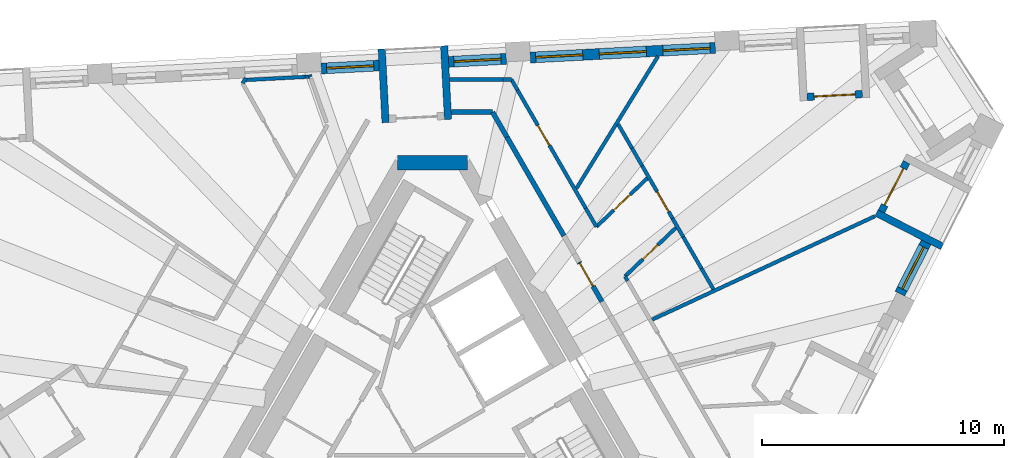
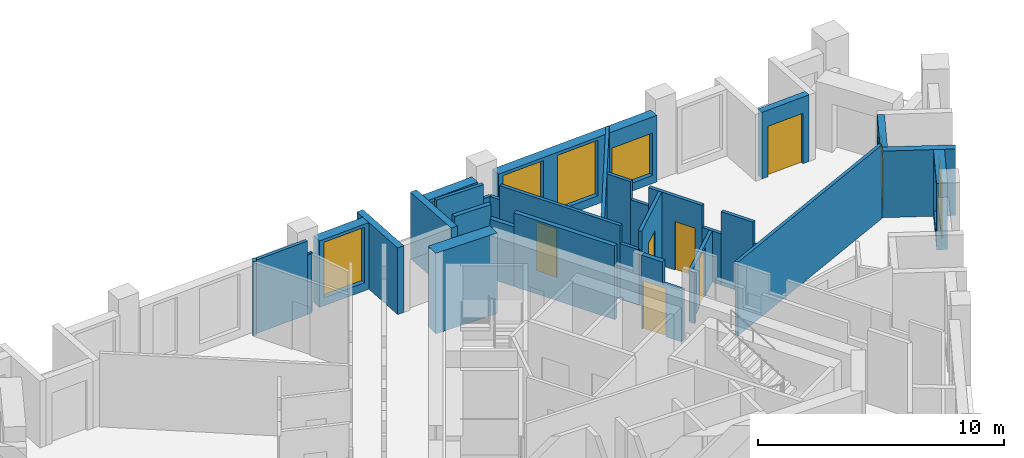
# One storey, part 8 of 13: 34 walls, 7 doors, 6 windows, 13 openings.
"""IFC4 building model written with IfcOpenShell, lengths in metres."""

from ifc_helpers import new_model, si_unit, direction, frame, frame_2d, origin, place, context, subcontext, project, spatial, polyline, rectangle, outline, extrude, material, layer, layer_set, type_object, element, fill, save


model = new_model("IFC4")

# Units and contexts
model_context = context("Model", 3, precision=1e-05, world=origin(), true_north=direction((0.0, 1.0)))
body_context = subcontext(model_context, "Body", "Model", "MODEL_VIEW")
ifc_project = project(units=[si_unit("LENGTHUNIT", "METRE"), si_unit("AREAUNIT", "SQUARE_METRE"), si_unit("VOLUMEUNIT", "CUBIC_METRE"), si_unit("PLANEANGLEUNIT", "RADIAN"), si_unit("MASSUNIT", "GRAM", prefix="KILO")], contexts=[model_context])

# Site, building, storey
site_placement = place(None, origin())
site = spatial("IfcSite", under=ifc_project, at=site_placement, CompositionType="ELEMENT")
building_placement = place(site_placement, origin())
building = spatial("IfcBuilding", under=site, at=building_placement, Name="Tramontana Tower", CompositionType="ELEMENT")
storey_placement = place(building_placement, frame((0.0, 0.0, 286.39990234375)))
storey = spatial("IfcBuildingStorey", under=building, at=storey_placement, Name="L67", CompositionType="ELEMENT", Elevation=286.39990234375)

# Walls
ifc_material_1 = material(Name="Concrete 70 MPa", Category="concrete")
ifc_layer_1 = layer(ifc_material_1, 0.60009765625)
ifc_layer_set_1 = layer_set([ifc_layer_1], Name="Core wall 600 70 MPa")
wall_type_1 = type_object("IfcWallType", Name="Core wall 600 70 MPa", PredefinedType="SHEAR", material=ifc_layer_set_1)
wall_1_placement = place(storey_placement, frame((1.443359375, 10.699951171875, 0.0), z_axis=(0.0, 0.0, 1.0), x_axis=(-1.0, 0.0, 0.0)))
element("IfcWall", 1, at=wall_1_placement, inside=storey, type_object=wall_type_1, Name="Core wall C0 L67", PredefinedType="SHEAR", context=body_context, shape_type="SweptSolid", body=[
    extrude(rectangle(XDim=2.88671875, YDim=0.60009765625, at=frame_2d((1.443359375, 0.0))), origin(), (0.0, 0.0, 1.0), 4.0),
])
ifc_material_2 = material(Name="Blockwork", Category="masonry")
ifc_layer_2 = layer(ifc_material_2, 0.199951171875)
ifc_layer_set_2 = layer_set([ifc_layer_2], Name="ENTRY WALL 200")
wall_type_2 = type_object("IfcWallType", Name="ENTRY WALL 200", PredefinedType="SOLIDWALL", material=ifc_layer_set_2)
wall_2_placement = place(storey_placement, frame((0.774658203125, 12.800048828125, 0.0), z_axis=(0.0, 0.0, 1.0), x_axis=(1.0, 0.0, 0.0)))
element("IfcWall", 2, at=wall_2_placement, inside=storey, type_object=wall_type_2, Name="Wall v71-ew4", PredefinedType="SOLIDWALL", context=body_context, shape_type="SweptSolid", body=[
    extrude(rectangle(XDim=1.7080078125, YDim=0.199951171875, at=frame_2d((0.85400390625, 0.0))), origin(), (0.0, 0.0, 1.0), 3.650146484375),
])
wall_3_placement = place(storey_placement, frame((2.482666015625, 12.800048828125, 0.0), z_axis=(0.0, 0.0, 1.0), x_axis=(0.499983247966, -0.86603507536, 0.0)))
element("IfcWall", 3, at=wall_3_placement, inside=storey, type_object=wall_type_2, Name="Wall v71-ew5-0", PredefinedType="SOLIDWALL", context=body_context, shape_type="SweptSolid", body=[
    extrude(rectangle(XDim=1.1884765625, YDim=0.199951171875, at=frame_2d((0.59423828125, 0.0))), origin(), (0.0, 0.0, 1.0), 2.9501953125),
])
wall_4_placement = place(storey_placement, frame((3.076904296875, 11.770751953125, 0.0), z_axis=(0.0, 0.0, 1.0), x_axis=(0.500007683529, -0.866020967652, 0.0)))
element("IfcWall", 4, at=wall_4_placement, inside=storey, type_object=wall_type_2, Name="Wall v71-ew5-1", PredefinedType="SOLIDWALL", context=body_context, shape_type="SweptSolid", body=[
    extrude(rectangle(XDim=4.71728515625, YDim=0.199951171875, at=frame_2d((2.358642578125, 0.0))), origin(), (0.0, 0.0, 1.0), 3.650146484375),
])

# Wall, opening, door
wall_5_placement = place(storey_placement, frame((6.0654296875, 6.59423828125, 0.0), z_axis=(0.0, 0.0, 1.0), x_axis=(0.499988092049, -0.866032278734, 0.0)))
wall_5 = element("IfcWall", 5, at=wall_5_placement, inside=storey, type_object=wall_type_2, Name="Wall v71-ew5-4", PredefinedType="SOLIDWALL", context=body_context, shape_type="SweptSolid", body=[
    extrude(outline(polyline([(0.0, 0.0), (1.8828125, 0.0), (1.8828125, 2.550048828125), (0.973388671875, 2.550048828125), (0.973388671875, 3.650146484375), (0.0, 3.650146484375), (0.0, 0.0)])), frame((0.0, 0.10009765625, 0.0), z_axis=(0.0, -1.0, 0.0), x_axis=(1.0, 0.0, 0.0)), (0.0, 0.0, 1.0), 0.199951171875),
])
opening_1_placement = place(wall_5_placement, frame((0.050048828125, 0.0, 0.0)))
opening_1 = element("IfcOpeningElement", 6, at=opening_1_placement, cuts=wall_5, Name="Opening B7B-22", PredefinedType="OPENING", context=body_context, shape_type="SweptSolid", body=[
    extrude(rectangle(XDim=1.10009765625, YDim=2.39990234375, at=frame_2d((0.550048828125, 1.199951171875))), frame((0.0, 0.10986328125, 0.0), z_axis=(0.0, -1.0, 0.0), x_axis=(1.0, 0.0, 0.0)), (0.0, 0.0, 1.0), 0.219970703125),
])
ifc_material_3 = material(Name="Painted timber", Category="wood")
door_type_1 = type_object("IfcDoorType", Name="DOOR ENTRY 1100", OperationType="SINGLE_SWING_LEFT", PredefinedType="DOOR", material=ifc_material_3)
door_1_placement = place(opening_1_placement, origin())
door_1 = element("IfcDoor", 7, at=door_1_placement, inside=storey, type_object=door_type_1, Name="Door B7B-22", OperationType="SINGLE_SWING_RIGHT", OverallHeight=2.39990234375, OverallWidth=1.10009765625, PredefinedType="DOOR", context=body_context, shape_type="SweptSolid", body=[
    extrude(rectangle(XDim=1.10009765625, YDim=2.39990234375, at=frame_2d((0.550048828125, 1.199951171875))), frame((0.0, 0.02490234375, 0.0), z_axis=(0.0, -1.0, 0.0), x_axis=(1.0, 0.0, 0.0)), (0.0, 0.0, 1.0), 0.050048828125),
])
fill(opening_1, door_1)

# Wall, opening, window
ifc_material_4 = material(Name="Precast concrete 60 MPa", Category="concrete")
ifc_layer_3 = layer(ifc_material_4, 0.449951171875)
ifc_layer_set_3 = layer_set([ifc_layer_3], Name="Precast concrete 60 MPa, 450 mm")
wall_type_3 = type_object("IfcWallType", Name="EW1 Stone-faced precast wall 450", PredefinedType="SOLIDWALL", material=ifc_layer_set_3)
wall_6_placement = place(storey_placement, frame((19.333740234375, 5.28955078125, 0.0), z_axis=(0.0, 0.0, 1.0), x_axis=(0.453951830128, 0.891026226283, 0.0)))
wall_6 = element("IfcWall", 8, at=wall_6_placement, inside=storey, type_object=wall_type_3, Name="External wall L67 face 1 bay 5", PredefinedType="SOLIDWALL", context=body_context, shape_type="SweptSolid", body=[
    extrude(rectangle(XDim=2.38671875, YDim=0.449951171875, at=frame_2d((1.193359375, 0.0))), origin(), (0.0, 0.0, 1.0), 3.300048828125),
])
opening_2_placement = place(wall_6_placement, frame((0.21826171875, 0.0, 0.39990234375)))
opening_2 = element("IfcOpeningElement", 9, at=opening_2_placement, cuts=wall_6, Name="Opening M3", PredefinedType="OPENING", context=body_context, shape_type="SweptSolid", body=[
    extrude(rectangle(XDim=1.949951171875, YDim=2.75, at=frame_2d((0.97509765625, 1.375))), frame((0.0, 0.23486328125, 0.0), z_axis=(0.0, -1.0, 0.0), x_axis=(1.0, 0.0, 0.0)), (0.0, 0.0, 1.0), 0.469970703125),
])
ifc_material_5 = material(Name="Aluminum frame, double glazing unit", Category="aluminium")
window_type_1 = type_object("IfcWindowType", Name="M3 Window 1.95 x 2.75", PartitioningType="SINGLE_PANEL", PredefinedType="WINDOW", material=ifc_material_5)
window_1_placement = place(opening_2_placement, origin())
window_1 = element("IfcWindow", 10, at=window_1_placement, inside=storey, type_object=window_type_1, Name="Window M3 L67 face 1 module 13", OverallHeight=2.75, OverallWidth=1.949951171875, PartitioningType="SINGLE_PANEL", PredefinedType="WINDOW", context=body_context, shape_type="SweptSolid", body=[
    extrude(rectangle(XDim=1.949951171875, YDim=2.75, at=frame_2d((0.97509765625, 1.375))), frame((0.0, 0.030029296875, 0.0), z_axis=(0.0, -1.0, 0.0), x_axis=(1.0, 0.0, 0.0)), (0.0, 0.0, 1.0), 0.06005859375),
])
fill(opening_2, window_1)

# Wall, openings, windows
wall_7_placement = place(storey_placement, frame((11.697265625, 15.45849609375, 0.0), z_axis=(0.0, 0.0, 1.0), x_axis=(-0.998628023429, -0.052364786088, 0.0)))
wall_7 = element("IfcWall", 11, at=wall_7_placement, inside=storey, type_object=wall_type_3, Name="External wall L67 face 2 bay 2", PredefinedType="SOLIDWALL", context=body_context, shape_type="SweptSolid", body=[
    extrude(rectangle(XDim=7.66015625, YDim=0.449951171875, at=frame_2d((3.830078125, 0.0))), origin(), (0.0, 0.0, 1.0), 3.300048828125),
])
opening_3_placement = place(wall_7_placement, frame((0.21826171875, 0.0, 0.39990234375)))
opening_3 = element("IfcOpeningElement", 12, at=opening_3_placement, cuts=wall_7, Name="Opening M3L", PredefinedType="OPENING", context=body_context, shape_type="SweptSolid", body=[
    extrude(rectangle(XDim=1.949951171875, YDim=2.10009765625, at=frame_2d((0.97509765625, 1.050048828125))), frame((0.0, 0.23486328125, 0.0), z_axis=(0.0, -1.0, 0.0), x_axis=(1.0, 0.0, 0.0)), (0.0, 0.0, 1.0), 0.469970703125),
])
opening_4_placement = place(wall_7_placement, frame((2.855224609375, 0.0, 0.39990234375)))
opening_4 = element("IfcOpeningElement", 13, at=opening_4_placement, cuts=wall_7, Name="Opening M3", PredefinedType="OPENING", context=body_context, shape_type="SweptSolid", body=[
    extrude(rectangle(XDim=1.949951171875, YDim=2.75, at=frame_2d((0.97509765625, 1.375))), frame((0.0, 0.23486328125, 0.0), z_axis=(0.0, -1.0, 0.0), x_axis=(1.0, 0.0, 0.0)), (0.0, 0.0, 1.0), 0.469970703125),
])
opening_5_placement = place(wall_7_placement, frame((5.491943359375, 0.0, 0.39990234375)))
opening_5 = element("IfcOpeningElement", 14, at=opening_5_placement, cuts=wall_7, Name="Opening M3", PredefinedType="OPENING", context=body_context, shape_type="SweptSolid", body=[
    extrude(rectangle(XDim=1.949951171875, YDim=2.75, at=frame_2d((0.97509765625, 1.375))), frame((0.0, 0.23486328125, 0.0), z_axis=(0.0, -1.0, 0.0), x_axis=(1.0, 0.0, 0.0)), (0.0, 0.0, 1.0), 0.469970703125),
])
window_2_placement = place(opening_4_placement, origin())
window_2 = element("IfcWindow", 15, at=window_2_placement, inside=storey, type_object=window_type_1, Name="Window M3 L67 face 2 module 5", OverallHeight=2.75, OverallWidth=1.949951171875, PartitioningType="SINGLE_PANEL", PredefinedType="WINDOW", context=body_context, shape_type="SweptSolid", body=[
    extrude(rectangle(XDim=1.949951171875, YDim=2.75, at=frame_2d((0.97509765625, 1.375))), frame((0.0, 0.030029296875, 0.0), z_axis=(0.0, -1.0, 0.0), x_axis=(1.0, 0.0, 0.0)), (0.0, 0.0, 1.0), 0.06005859375),
])
fill(opening_4, window_2)
window_3_placement = place(opening_5_placement, origin())
window_3 = element("IfcWindow", 16, at=window_3_placement, inside=storey, type_object=window_type_1, Name="Window M3 L67 face 2 module 6", OverallHeight=2.75, OverallWidth=1.949951171875, PartitioningType="SINGLE_PANEL", PredefinedType="WINDOW", context=body_context, shape_type="SweptSolid", body=[
    extrude(rectangle(XDim=1.949951171875, YDim=2.75, at=frame_2d((0.97509765625, 1.375))), frame((0.0, 0.030029296875, 0.0), z_axis=(0.0, -1.0, 0.0), x_axis=(1.0, 0.0, 0.0)), (0.0, 0.0, 1.0), 0.06005859375),
])
fill(opening_5, window_3)
ifc_material_6 = material(Name="Aluminum frame, double glazing unit", Category="aluminium")
window_type_2 = type_object("IfcWindowType", Name="M3L Window 1.95 x 2.1", PartitioningType="SINGLE_PANEL", PredefinedType="WINDOW", material=ifc_material_6)
window_4_placement = place(opening_3_placement, origin())
window_4 = element("IfcWindow", 17, at=window_4_placement, inside=storey, type_object=window_type_2, Name="Window M3L L67 face 2 module 4", OverallHeight=2.10009765625, OverallWidth=1.949951171875, PartitioningType="SINGLE_PANEL", PredefinedType="WINDOW", context=body_context, shape_type="SweptSolid", body=[
    extrude(rectangle(XDim=1.949951171875, YDim=2.10009765625, at=frame_2d((0.97509765625, 1.050048828125))), frame((0.0, 0.030029296875, 0.0), z_axis=(0.0, -1.0, 0.0), x_axis=(1.0, 0.0, 0.0)), (0.0, 0.0, 1.0), 0.06005859375),
])
fill(opening_3, window_4)

# Wall, opening, window
wall_8_placement = place(storey_placement, frame((3.049072265625, 15.005126953125, 0.0), z_axis=(0.0, 0.0, 1.0), x_axis=(-0.998627701279, -0.052370929331, 0.0)))
wall_8 = element("IfcWall", 18, at=wall_8_placement, inside=storey, type_object=wall_type_3, Name="External wall L67 face 2 bay 3", PredefinedType="SOLIDWALL", context=body_context, shape_type="SweptSolid", body=[
    extrude(rectangle(XDim=2.38671875, YDim=0.449951171875, at=frame_2d((1.193359375, 0.0))), origin(), (0.0, 0.0, 1.0), 3.300048828125),
])
opening_6_placement = place(wall_8_placement, frame((0.21826171875, 0.0, 0.39990234375)))
opening_6 = element("IfcOpeningElement", 19, at=opening_6_placement, cuts=wall_8, Name="Opening M3", PredefinedType="OPENING", context=body_context, shape_type="SweptSolid", body=[
    extrude(rectangle(XDim=1.949951171875, YDim=2.75, at=frame_2d((0.97509765625, 1.375))), frame((0.0, 0.23486328125, 0.0), z_axis=(0.0, -1.0, 0.0), x_axis=(1.0, 0.0, 0.0)), (0.0, 0.0, 1.0), 0.469970703125),
])
window_5_placement = place(opening_6_placement, origin())
window_5 = element("IfcWindow", 20, at=window_5_placement, inside=storey, type_object=window_type_1, Name="Window M3 L67 face 2 module 7", OverallHeight=2.75, OverallWidth=1.949951171875, PartitioningType="SINGLE_PANEL", PredefinedType="WINDOW", context=body_context, shape_type="SweptSolid", body=[
    extrude(rectangle(XDim=1.949951171875, YDim=2.75, at=frame_2d((0.97509765625, 1.375))), frame((0.0, 0.030029296875, 0.0), z_axis=(0.0, -1.0, 0.0), x_axis=(1.0, 0.0, 0.0)), (0.0, 0.0, 1.0), 0.06005859375),
])
fill(opening_6, window_5)

wall_9_placement = place(storey_placement, frame((-2.21728515625, 14.729248046875, 0.0), z_axis=(0.0, 0.0, 1.0), x_axis=(-0.998627701279, -0.052370929331, 0.0)))
wall_9 = element("IfcWall", 21, at=wall_9_placement, inside=storey, type_object=wall_type_3, Name="External wall L67 face 2 bay 3", PredefinedType="SOLIDWALL", context=body_context, shape_type="SweptSolid", body=[
    extrude(rectangle(XDim=2.38671875, YDim=0.449951171875, at=frame_2d((1.193359375, 0.0))), origin(), (0.0, 0.0, 1.0), 3.300048828125),
])
opening_7_placement = place(wall_9_placement, frame((0.21826171875, 0.0, 0.39990234375)))
opening_7 = element("IfcOpeningElement", 22, at=opening_7_placement, cuts=wall_9, Name="Opening M3", PredefinedType="OPENING", context=body_context, shape_type="SweptSolid", body=[
    extrude(rectangle(XDim=1.949951171875, YDim=2.75, at=frame_2d((0.97509765625, 1.375))), frame((0.0, 0.23486328125, 0.0), z_axis=(0.0, -1.0, 0.0), x_axis=(1.0, 0.0, 0.0)), (0.0, 0.0, 1.0), 0.469970703125),
])
window_6_placement = place(opening_7_placement, origin())
window_6 = element("IfcWindow", 23, at=window_6_placement, inside=storey, type_object=window_type_1, Name="Window M3 L67 face 2 module 9", OverallHeight=2.75, OverallWidth=1.949951171875, PartitioningType="SINGLE_PANEL", PredefinedType="WINDOW", context=body_context, shape_type="SweptSolid", body=[
    extrude(rectangle(XDim=1.949951171875, YDim=2.75, at=frame_2d((0.97509765625, 1.375))), frame((0.0, 0.030029296875, 0.0), z_axis=(0.0, -1.0, 0.0), x_axis=(1.0, 0.0, 0.0)), (0.0, 0.0, 1.0), 0.06005859375),
])
fill(opening_7, window_6)

# Wall, opening, door
ifc_material_7 = material(Name="Precast concrete 60 MPa", Category="concrete")
ifc_layer_4 = layer(ifc_material_7, 0.300048828125)
ifc_layer_set_4 = layer_set([ifc_layer_4], Name="LW1 Stone-faced loggia wall 300")
wall_type_4 = type_object("IfcWallType", Name="LW1 Stone-faced loggia wall 300", PredefinedType="SOLIDWALL", material=ifc_layer_set_4)
wall_10_placement = place(storey_placement, frame((18.571044921875, 8.693603515625, 0.0), z_axis=(0.0, 0.0, 1.0), x_axis=(0.453948171533, 0.89102809022, 0.0)))
wall_10 = element("IfcWall", 24, at=wall_10_placement, inside=storey, type_object=wall_type_4, Name="Loggia wall L67 G7S1.13", PredefinedType="SOLIDWALL", context=body_context, shape_type="SweptSolid", body=[
    extrude(rectangle(XDim=2.286865234375, YDim=0.300048828125, at=frame_2d((1.1435546875, 0.0))), origin(), (0.0, 0.0, 1.0), 3.300048828125),
])
opening_8_placement = place(wall_10_placement, frame((0.29345703125, 0.0, 0.0)))
opening_8 = element("IfcOpeningElement", 25, at=opening_8_placement, cuts=wall_10, Name="Opening BD-7S1-13", PredefinedType="OPENING", context=body_context, shape_type="SweptSolid", body=[
    extrude(rectangle(XDim=1.699951171875, YDim=2.5, at=frame_2d((0.85009765625, 1.25))), frame((0.0, 0.159912109375, 0.0), z_axis=(0.0, -1.0, 0.0), x_axis=(1.0, 0.0, 0.0)), (0.0, 0.0, 1.0), 0.320068359375),
])
ifc_material_8 = material(Name="Aluminum frame, double glazing unit", Category="aluminium")
door_type_2 = type_object("IfcDoorType", Name="BD3 Sliding door 1.7 x 2.5", OperationType="SLIDING_TO_LEFT", PredefinedType="DOOR", material=ifc_material_8)
door_2_placement = place(opening_8_placement, origin())
door_2 = element("IfcDoor", 26, at=door_2_placement, inside=storey, type_object=door_type_2, Name="Loggia door L67 G7S1.13", OperationType="SLIDING_TO_LEFT", OverallHeight=2.5, OverallWidth=1.699951171875, PredefinedType="DOOR", context=body_context, shape_type="SweptSolid", body=[
    extrude(rectangle(XDim=1.699951171875, YDim=2.5, at=frame_2d((0.85009765625, 1.25))), frame((0.0, 0.02490234375, 0.0), z_axis=(0.0, -1.0, 0.0), x_axis=(1.0, 0.0, 0.0)), (0.0, 0.0, 1.0), 0.050048828125),
])
fill(opening_8, door_2)

# Wall
wall_11_placement = place(storey_placement, frame((21.086669921875, 7.243408203125, 0.0), z_axis=(0.0, 0.0, 1.0), x_axis=(-0.890991233495, 0.454020508165, 0.0)))
element("IfcWall", 27, at=wall_11_placement, inside=storey, type_object=wall_type_4, Name="Loggia return L67 G7S1.13a", PredefinedType="SOLIDWALL", context=body_context, shape_type="SweptSolid", body=[
    extrude(rectangle(XDim=3.050048828125, YDim=0.300048828125, at=frame_2d((1.52490234375, 0.0))), origin(), (0.0, 0.0, 1.0), 3.300048828125),
])

# Wall, opening, door
wall_12_placement = place(storey_placement, frame((17.779052734375, 13.549072265625, 0.0), z_axis=(0.0, 0.0, 1.0), x_axis=(-0.998630483018, -0.052317859155, 0.0)))
wall_12 = element("IfcWall", 28, at=wall_12_placement, inside=storey, type_object=wall_type_4, Name="Loggia wall L67 G7S2.1", PredefinedType="SOLIDWALL", context=body_context, shape_type="SweptSolid", body=[
    extrude(rectangle(XDim=2.28662109375, YDim=0.300048828125, at=frame_2d((1.143310546875, 0.0))), origin(), (0.0, 0.0, 1.0), 3.300048828125),
])
opening_9_placement = place(wall_12_placement, frame((0.29345703125, 0.0, 0.0)))
opening_9 = element("IfcOpeningElement", 29, at=opening_9_placement, cuts=wall_12, Name="Opening BD-7S2-01", PredefinedType="OPENING", context=body_context, shape_type="SweptSolid", body=[
    extrude(rectangle(XDim=1.699951171875, YDim=2.5, at=frame_2d((0.85009765625, 1.25))), frame((0.0, 0.159912109375, 0.0), z_axis=(0.0, -1.0, 0.0), x_axis=(1.0, 0.0, 0.0)), (0.0, 0.0, 1.0), 0.320068359375),
])
door_3_placement = place(opening_9_placement, origin())
door_3 = element("IfcDoor", 30, at=door_3_placement, inside=storey, type_object=door_type_2, Name="Loggia door L67 G7S2.1", OperationType="SLIDING_TO_LEFT", OverallHeight=2.5, OverallWidth=1.699951171875, PredefinedType="DOOR", context=body_context, shape_type="SweptSolid", body=[
    extrude(rectangle(XDim=1.699951171875, YDim=2.5, at=frame_2d((0.85009765625, 1.25))), frame((0.0, 0.02490234375, 0.0), z_axis=(0.0, -1.0, 0.0), x_axis=(1.0, 0.0, 0.0)), (0.0, 0.0, 1.0), 0.050048828125),
])
fill(opening_9, door_3)

# Walls
wall_13_placement = place(storey_placement, frame((0.48046875, 15.54638671875, 0.0), z_axis=(0.0, 0.0, 1.0), x_axis=(0.052352956549, -0.998628643661, 0.0)))
element("IfcWall", 31, at=wall_13_placement, inside=storey, type_object=wall_type_4, Name="Loggia return L67 G7S2.7a", PredefinedType="SOLIDWALL", context=body_context, shape_type="SweptSolid", body=[
    extrude(rectangle(XDim=3.0498046875, YDim=0.300048828125, at=frame_2d((1.52490234375, 0.0))), origin(), (0.0, 0.0, 1.0), 3.300048828125),
])
wall_14_placement = place(storey_placement, frame((-2.102783203125, 15.4111328125, 0.0), z_axis=(0.0, 0.0, 1.0), x_axis=(0.052348771756, -0.99862886304, 0.0)))
element("IfcWall", 32, at=wall_14_placement, inside=storey, type_object=wall_type_4, Name="Loggia return L67 G7S2.7b", PredefinedType="SOLIDWALL", context=body_context, shape_type="SweptSolid", body=[
    extrude(rectangle(XDim=3.050048828125, YDim=0.300048828125, at=frame_2d((1.52490234375, 0.0))), origin(), (0.0, 0.0, 1.0), 3.300048828125),
])
ifc_material_9 = material(Name="Gypsum board partition")
ifc_layer_5 = layer(ifc_material_9, 0.14990234375)
ifc_layer_set_5 = layer_set([ifc_layer_5], Name="PARTITION 150")
wall_type_5 = type_object("IfcWallType", Name="PARTITION 150", PredefinedType="PARTITIONING", material=ifc_layer_set_5)
wall_15_placement = place(storey_placement, frame((-7.8564453125, 13.9921875, 0.0), z_axis=(0.0, 0.0, 1.0), x_axis=(0.499914057068, 0.866075017274, 0.0)))
element("IfcWall", 33, at=wall_15_placement, inside=storey, type_object=wall_type_5, Name="Wall v71-pw11", PredefinedType="PARTITIONING", context=body_context, shape_type="SweptSolid", body=[
    extrude(rectangle(XDim=0.25732421875, YDim=0.14990234375, at=frame_2d((0.128662109375, 0.0))), origin(), (0.0, 0.0, 1.0), 3.650146484375),
])
wall_16_placement = place(storey_placement, frame((-7.723388671875, 14.130126953125, 0.0), z_axis=(0.0, 0.0, 1.0), x_axis=(0.998631230804, 0.052303583645, 0.0)))
element("IfcWall", 34, at=wall_16_placement, inside=storey, type_object=wall_type_5, Name="Wall v71-pw12-0", PredefinedType="PARTITIONING", context=body_context, shape_type="SweptSolid", body=[
    extrude(rectangle(XDim=2.4599609375, YDim=0.14990234375, at=frame_2d((1.22998046875, 0.0))), origin(), (0.0, 0.0, 1.0), 3.650146484375),
])
wall_17_placement = place(storey_placement, frame((-5.266845703125, 14.2587890625, 0.0), z_axis=(0.0, 0.0, 1.0), x_axis=(0.998580804678, 0.053257642916, 0.0)))
element("IfcWall", 35, at=wall_17_placement, inside=storey, type_object=wall_type_5, Name="Wall v71-pw12-1", PredefinedType="PARTITIONING", context=body_context, shape_type="SweptSolid", body=[
    extrude(rectangle(XDim=0.183349609375, YDim=0.14990234375, at=frame_2d((0.091796875, 0.0))), origin(), (0.0, 0.0, 1.0), 2.9501953125),
])
wall_18_placement = place(storey_placement, frame((-5.051025390625, 14.257080078125, 0.0), z_axis=(0.0, 0.0, 1.0), x_axis=(-0.333076318003, 0.942899870816, 0.0)))
element("IfcWall", 36, at=wall_18_placement, inside=storey, type_object=wall_type_5, Name="Wall v71-pw16-0", PredefinedType="PARTITIONING", context=body_context, shape_type="SweptSolid", body=[
    extrude(rectangle(XDim=0.099609375, YDim=0.14990234375, at=frame_2d((0.0498046875, 0.0))), origin(), (0.0, 0.0, 1.0), 2.9501953125),
])
wall_19_placement = place(storey_placement, frame((0.703857421875, 14.14990234375, 0.0), z_axis=(0.0, 0.0, 1.0), x_axis=(1.0, 0.0, 0.0)))
element("IfcWall", 37, at=wall_19_placement, inside=storey, type_object=wall_type_5, Name="Wall v71-pw20-0", PredefinedType="PARTITIONING", context=body_context, shape_type="SweptSolid", body=[
    extrude(rectangle(XDim=2.216796875, YDim=0.14990234375, at=frame_2d((1.1083984375, 0.0))), origin(), (0.0, 0.0, 1.0), 3.650146484375),
])
wall_20_placement = place(storey_placement, frame((2.920654296875, 14.14990234375, 0.0), z_axis=(0.0, 0.0, 1.0), x_axis=(1.0, 0.0, 0.0)))
element("IfcWall", 38, at=wall_20_placement, inside=storey, type_object=wall_type_5, Name="Wall v71-pw20-1", PredefinedType="PARTITIONING", context=body_context, shape_type="SweptSolid", body=[
    extrude(rectangle(XDim=0.34130859375, YDim=0.14990234375, at=frame_2d((0.170654296875, 0.0))), origin(), (0.0, 0.0, 1.0), 2.9501953125),
])
wall_21_placement = place(storey_placement, frame((3.261962890625, 14.14990234375, 0.0), z_axis=(0.0, 0.0, 1.0), x_axis=(0.500115484592, -0.865958718457, 0.0)))
element("IfcWall", 39, at=wall_21_placement, inside=storey, type_object=wall_type_5, Name="Wall v71-pw24-0", PredefinedType="PARTITIONING", context=body_context, shape_type="SweptSolid", body=[
    extrude(rectangle(XDim=0.501953125, YDim=0.14990234375, at=frame_2d((0.2509765625, 0.0))), origin(), (0.0, 0.0, 1.0), 2.9501953125),
])

# Wall, opening, door
wall_22_placement = place(storey_placement, frame((3.512939453125, 13.71533203125, 0.0), z_axis=(0.0, 0.0, 1.0), x_axis=(0.500019542665, -0.866014120528, 0.0)))
wall_22 = element("IfcWall", 40, at=wall_22_placement, inside=storey, type_object=wall_type_5, Name="Wall v71-pw24-1", PredefinedType="PARTITIONING", context=body_context, shape_type="SweptSolid", body=[
    extrude(rectangle(XDim=5.643310546875, YDim=0.14990234375, at=frame_2d((2.82177734375, 0.0))), origin(), (0.0, 0.0, 1.0), 3.650146484375),
])
opening_10_placement = place(wall_22_placement, frame((1.68896484375, 0.0, 0.0)))
opening_10 = element("IfcOpeningElement", 41, at=opening_10_placement, cuts=wall_22, Name="Opening B7B-18", PredefinedType="OPENING", context=body_context, shape_type="SweptSolid", body=[
    extrude(rectangle(XDim=0.949951171875, YDim=2.39990234375, at=frame_2d((0.47509765625, 1.199951171875))), frame((0.0, 0.0849609375, 0.0), z_axis=(0.0, -1.0, 0.0), x_axis=(1.0, 0.0, 0.0)), (0.0, 0.0, 1.0), 0.169921875),
])
ifc_material_10 = material(Name="Painted timber", Category="wood")
door_type_3 = type_object("IfcDoorType", Name="DOOR ROOM 950", OperationType="SINGLE_SWING_LEFT", PredefinedType="DOOR", material=ifc_material_10)
door_4_placement = place(opening_10_placement, origin())
door_4 = element("IfcDoor", 42, at=door_4_placement, inside=storey, type_object=door_type_3, Name="Door B7B-18", OperationType="SINGLE_SWING_RIGHT", OverallHeight=2.39990234375, OverallWidth=0.949951171875, PredefinedType="DOOR", context=body_context, shape_type="SweptSolid", body=[
    extrude(rectangle(XDim=0.949951171875, YDim=2.39990234375, at=frame_2d((0.47509765625, 1.199951171875))), frame((0.0, 0.02490234375, 0.0), z_axis=(0.0, -1.0, 0.0), x_axis=(1.0, 0.0, 0.0)), (0.0, 0.0, 1.0), 0.050048828125),
])
fill(opening_10, door_4)

# Walls
wall_23_placement = place(storey_placement, frame((6.334716796875, 8.828125, 0.0), z_axis=(0.0, 0.0, 1.0), x_axis=(0.499952443665, -0.866052858707, 0.0)))
element("IfcWall", 43, at=wall_23_placement, inside=storey, type_object=wall_type_5, Name="Wall v71-pw24-2", PredefinedType="PARTITIONING", context=body_context, shape_type="SweptSolid", body=[
    extrude(rectangle(XDim=0.88818359375, YDim=0.14990234375, at=frame_2d((0.444091796875, 0.0))), origin(), (0.0, 0.0, 1.0), 2.75),
])
wall_24_placement = place(storey_placement, frame((5.951416015625, 9.641845703125, 0.0), z_axis=(0.0, 0.0, 1.0), x_axis=(0.525218585936, 0.850967353655, 0.0)))
element("IfcWall", 44, at=wall_24_placement, inside=storey, type_object=wall_type_5, Name="Wall v71-pw29", PredefinedType="PARTITIONING", context=body_context, shape_type="SweptSolid", body=[
    extrude(rectangle(XDim=6.424560546875, YDim=0.14990234375, at=frame_2d((3.21240234375, 0.0))), origin(), (0.0, 0.0, 1.0), 3.650146484375),
])

# Wall, opening, door
wall_25_placement = place(storey_placement, frame((6.77880859375, 8.058837890625, 0.0), z_axis=(0.0, 0.0, 1.0), x_axis=(0.723456580419, 0.690369883648, 0.0)))
wall_25 = element("IfcWall", 45, at=wall_25_placement, inside=storey, type_object=wall_type_5, Name="Wall v71-pw31", PredefinedType="PARTITIONING", context=body_context, shape_type="SweptSolid", body=[
    extrude(rectangle(XDim=2.9072265625, YDim=0.14990234375, at=frame_2d((1.45361328125, 0.0))), origin(), (0.0, 0.0, 1.0), 3.650146484375),
])
opening_11_placement = place(wall_25_placement, frame((0.978515625, 0.0, 0.0)))
opening_11 = element("IfcOpeningElement", 46, at=opening_11_placement, cuts=wall_25, Name="Opening B7B-13", PredefinedType="OPENING", context=body_context, shape_type="SweptSolid", body=[
    extrude(rectangle(XDim=0.949951171875, YDim=2.39990234375, at=frame_2d((0.47509765625, 1.199951171875))), frame((0.0, 0.0849609375, 0.0), z_axis=(0.0, -1.0, 0.0), x_axis=(1.0, 0.0, 0.0)), (0.0, 0.0, 1.0), 0.169921875),
])
door_5_placement = place(opening_11_placement, origin())
door_5 = element("IfcDoor", 47, at=door_5_placement, inside=storey, type_object=door_type_3, Name="Door B7B-13", OperationType="SINGLE_SWING_LEFT", OverallHeight=2.39990234375, OverallWidth=0.949951171875, PredefinedType="DOOR", context=body_context, shape_type="SweptSolid", body=[
    extrude(rectangle(XDim=0.949951171875, YDim=2.39990234375, at=frame_2d((0.47509765625, 1.199951171875))), frame((0.0, 0.02490234375, 0.0), z_axis=(0.0, -1.0, 0.0), x_axis=(1.0, 0.0, 0.0)), (0.0, 0.0, 1.0), 0.050048828125),
])
fill(opening_11, door_5)

# Walls
wall_26_placement = place(storey_placement, frame((7.679443359375, 12.298828125, 0.0), z_axis=(0.0, 0.0, 1.0), x_axis=(0.499925626596, -0.866068339032, 0.0)))
element("IfcWall", 48, at=wall_26_placement, inside=storey, type_object=wall_type_5, Name="Wall v71-pw32-0", PredefinedType="PARTITIONING", context=body_context, shape_type="SweptSolid", body=[
    extrude(rectangle(XDim=1.144287109375, YDim=0.14990234375, at=frame_2d((0.572265625, 0.0))), origin(), (0.0, 0.0, 1.0), 3.650146484375),
])
wall_27_placement = place(storey_placement, frame((8.25146484375, 11.307861328125, 0.0), z_axis=(0.0, 0.0, 1.0), x_axis=(0.500151338474, -0.865938010843, 0.0)))
element("IfcWall", 49, at=wall_27_placement, inside=storey, type_object=wall_type_5, Name="Wall v71-pw32-1", PredefinedType="PARTITIONING", context=body_context, shape_type="SweptSolid", body=[
    extrude(rectangle(XDim=0.837646484375, YDim=0.14990234375, at=frame_2d((0.4189453125, 0.0))), origin(), (0.0, 0.0, 1.0), 2.75),
])

# Wall, opening, door
wall_28_placement = place(storey_placement, frame((8.67041015625, 10.58251953125, 0.0), z_axis=(0.0, 0.0, 1.0), x_axis=(0.499938053331, -0.866061165757, 0.0)))
wall_28 = element("IfcWall", 50, at=wall_28_placement, inside=storey, type_object=wall_type_5, Name="Wall v71-pw32-2", PredefinedType="PARTITIONING", context=body_context, shape_type="SweptSolid", body=[
    extrude(rectangle(XDim=2.515869140625, YDim=0.14990234375, at=frame_2d((1.2578125, 0.0))), origin(), (0.0, 0.0, 1.0), 3.650146484375),
])
opening_12_placement = place(wall_28_placement, frame((1.243896484375, 0.0, 0.0)))
opening_12 = element("IfcOpeningElement", 51, at=opening_12_placement, cuts=wall_28, Name="Opening B7B-15", PredefinedType="OPENING", context=body_context, shape_type="SweptSolid", body=[
    extrude(rectangle(XDim=0.949951171875, YDim=2.39990234375, at=frame_2d((0.47509765625, 1.199951171875))), frame((0.0, 0.0849609375, 0.0), z_axis=(0.0, -1.0, 0.0), x_axis=(1.0, 0.0, 0.0)), (0.0, 0.0, 1.0), 0.169921875),
])
door_6_placement = place(opening_12_placement, origin())
door_6 = element("IfcDoor", 52, at=door_6_placement, inside=storey, type_object=door_type_3, Name="Door B7B-15", OperationType="SINGLE_SWING_LEFT", OverallHeight=2.39990234375, OverallWidth=0.949951171875, PredefinedType="DOOR", context=body_context, shape_type="SweptSolid", body=[
    extrude(rectangle(XDim=0.949951171875, YDim=2.39990234375, at=frame_2d((0.47509765625, 1.199951171875))), frame((0.0, 0.02490234375, 0.0), z_axis=(0.0, -1.0, 0.0), x_axis=(1.0, 0.0, 0.0)), (0.0, 0.0, 1.0), 0.050048828125),
])
fill(opening_12, door_6)

# Walls
wall_29_placement = place(storey_placement, frame((9.92822265625, 8.403564453125, 0.0), z_axis=(0.0, 0.0, 1.0), x_axis=(0.500176418896, -0.865923524325, 0.0)))
element("IfcWall", 53, at=wall_29_placement, inside=storey, type_object=wall_type_5, Name="Wall v71-pw32-3", PredefinedType="PARTITIONING", context=body_context, shape_type="SweptSolid", body=[
    extrude(rectangle(XDim=0.884521484375, YDim=0.14990234375, at=frame_2d((0.4423828125, 0.0))), origin(), (0.0, 0.0, 1.0), 2.550048828125),
])
wall_30_placement = place(storey_placement, frame((10.37060546875, 7.6376953125, 0.0), z_axis=(0.0, 0.0, 1.0), x_axis=(0.499983823482, -0.8660347431, 0.0)))
element("IfcWall", 54, at=wall_30_placement, inside=storey, type_object=wall_type_5, Name="Wall v71-pw32-4", PredefinedType="PARTITIONING", context=body_context, shape_type="SweptSolid", body=[
    extrude(rectangle(XDim=1.50927734375, YDim=0.14990234375, at=frame_2d((0.754638671875, 0.0))), origin(), (0.0, 0.0, 1.0), 3.650146484375),
])
wall_31_placement = place(storey_placement, frame((11.125244140625, 6.33056640625, 0.0), z_axis=(0.0, 0.0, 1.0), x_axis=(0.500022136814, -0.866012622712, 0.0)))
element("IfcWall", 55, at=wall_31_placement, inside=storey, type_object=wall_type_5, Name="Wall v71-pw32-5", PredefinedType="PARTITIONING", context=body_context, shape_type="SweptSolid", body=[
    extrude(rectangle(XDim=0.9873046875, YDim=0.14990234375, at=frame_2d((0.49365234375, 0.0))), origin(), (0.0, 0.0, 1.0), 2.550048828125),
])
wall_32_placement = place(storey_placement, frame((7.962158203125, 6.009033203125, 0.0), z_axis=(0.0, 0.0, 1.0), x_axis=(0.500240224089, -0.865886665912, 0.0)))
element("IfcWall", 56, at=wall_32_placement, inside=storey, type_object=wall_type_5, Name="Wall v71-pw33-0", PredefinedType="PARTITIONING", context=body_context, shape_type="SweptSolid", body=[
    extrude(rectangle(XDim=0.2177734375, YDim=0.14990234375, at=frame_2d((0.10888671875, 0.0))), origin(), (0.0, 0.0, 1.0), 2.550048828125),
])

# Wall, opening, door
wall_33_placement = place(storey_placement, frame((10.0654296875, 8.01611328125, 0.0), z_axis=(0.0, 0.0, 1.0), x_axis=(-0.723456580419, -0.690369883648, 0.0)))
wall_33 = element("IfcWall", 57, at=wall_33_placement, inside=storey, type_object=wall_type_5, Name="Wall v71-pw35-0", PredefinedType="PARTITIONING", context=body_context, shape_type="SweptSolid", body=[
    extrude(rectangle(XDim=2.9072265625, YDim=0.14990234375, at=frame_2d((1.45361328125, 0.0))), origin(), (0.0, 0.0, 1.0), 2.550048828125),
])
opening_13_placement = place(wall_33_placement, frame((1.028564453125, 0.0, 0.0)))
opening_13 = element("IfcOpeningElement", 58, at=opening_13_placement, cuts=wall_33, Name="Opening B7B-14", PredefinedType="OPENING", context=body_context, shape_type="SweptSolid", body=[
    extrude(rectangle(XDim=0.85009765625, YDim=2.39990234375, at=frame_2d((0.425048828125, 1.199951171875))), frame((0.0, 0.0849609375, 0.0), z_axis=(0.0, -1.0, 0.0), x_axis=(1.0, 0.0, 0.0)), (0.0, 0.0, 1.0), 0.169921875),
])
ifc_material_11 = material(Name="Painted timber", Category="wood")
door_type_4 = type_object("IfcDoorType", Name="DOOR BATH 850", OperationType="SINGLE_SWING_LEFT", PredefinedType="DOOR", material=ifc_material_11)
door_7_placement = place(opening_13_placement, origin())
door_7 = element("IfcDoor", 59, at=door_7_placement, inside=storey, type_object=door_type_4, Name="Door B7B-14", OperationType="SINGLE_SWING_RIGHT", OverallHeight=2.39990234375, OverallWidth=0.85009765625, PredefinedType="DOOR", context=body_context, shape_type="SweptSolid", body=[
    extrude(rectangle(XDim=0.85009765625, YDim=2.39990234375, at=frame_2d((0.425048828125, 1.199951171875))), frame((0.0, 0.02490234375, 0.0), z_axis=(0.0, -1.0, 0.0), x_axis=(1.0, 0.0, 0.0)), (0.0, 0.0, 1.0), 0.050048828125),
])
fill(opening_13, door_7)

# Wall
wall_34_placement = place(storey_placement, frame((18.301025390625, 8.494384765625, 0.0), z_axis=(0.0, 0.0, 1.0), x_axis=(-0.907056484696, -0.421008947139, 0.0)))
element("IfcWall", 60, at=wall_34_placement, inside=storey, type_object=wall_type_5, Name="Wall v71-pw43", PredefinedType="PARTITIONING", context=body_context, shape_type="SweptSolid", body=[
    extrude(rectangle(XDim=10.161376953125, YDim=0.14990234375, at=frame_2d((5.08056640625, 0.0))), origin(), (0.0, 0.0, 1.0), 3.650146484375),
])

save(model, "model.ifc")
